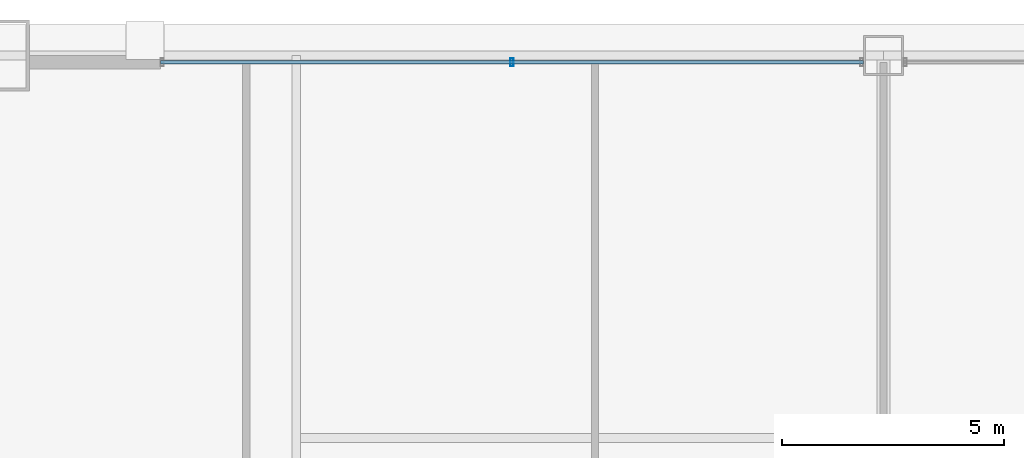
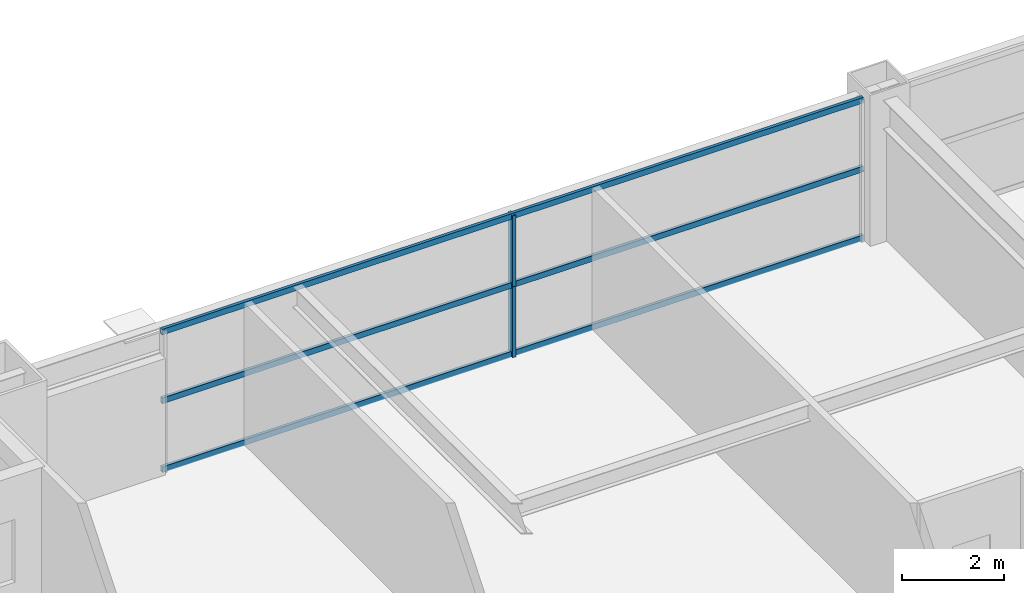
# One storey, part 25 of 39: 5 members, 1 element without a shape of its own.
"""IFC4 building model written with IfcOpenShell, lengths in metres."""

from ifc_helpers import new_model, si_unit, direction, frame, origin, origin_2d, place, context, subcontext, project, spatial, hollow_rectangle, extrude, source, transform, mapped, material, layer, layer_set, material_profile, profile_set, type_object, element, aggregate, save


model = new_model("IFC4")

# Units and contexts
model_context = context("Model", 3, precision=1e-05, world=origin(), true_north=direction((0.0, 1.0)))
body_context = subcontext(model_context, "Body", "Model", "MODEL_VIEW")
ifc_project = project(units=[si_unit("LENGTHUNIT", "METRE"), si_unit("AREAUNIT", "SQUARE_METRE"), si_unit("VOLUMEUNIT", "CUBIC_METRE"), si_unit("PLANEANGLEUNIT", "RADIAN"), si_unit("MASSUNIT", "GRAM", prefix="KILO"), si_unit("THERMODYNAMICTEMPERATUREUNIT", "KELVIN"), si_unit("POWERUNIT", "WATT")], contexts=[model_context])

# Site, building, storey
site_placement = place(None, origin())
site = spatial("IfcSite", under=ifc_project, at=site_placement, CompositionType="ELEMENT")
building_placement = place(site_placement, origin())
building = spatial("IfcBuilding", under=site, at=building_placement, Name="Yuzanri Waterfront Tower", CompositionType="ELEMENT")
storey_placement = place(building_placement, frame((0.0, 0.0, 156.0)))
storey = spatial("IfcBuildingStorey", under=building, at=storey_placement, Name="L41", CompositionType="ELEMENT", Elevation=156.0)

# Curtain wall, members
ifc_material_1 = material(Name="Anodized Architectural Bronze", Category="metal")
ifc_layer = layer(ifc_material_1, 0.159912109375)
ifc_layer_set = layer_set([ifc_layer], Name="Anodized Architectural Bronze")
curtain_wall_type = type_object("IfcCurtainWallType", Name="Anodized Bronze Hotel Upper-Tier Solar-Control Unitized Curtain Wall 7800", PredefinedType="NOTDEFINED", material=ifc_layer_set)
curtain_wall_placement = place(storey_placement, origin())
curtain_wall = element("IfcCurtainWall", 1, at=curtain_wall_placement, inside=storey, type_object=curtain_wall_type, Name="L41 Curtain Wall CW-L41-NL", PredefinedType="NOTDEFINED")
ifc_material_2 = material(Name="Anodized Architectural Bronze", Category="metal")
ifc_material_profile_1 = material_profile(ifc_material_2, hollow_rectangle(XDim=0.070068359375, YDim=0.179931640625, WallThickness=0.00390625, at=origin_2d()), Name="CWM 70x180")
ifc_profile_set_1 = profile_set([ifc_material_profile_1], Name="Anodized Architectural Bronze")
member_type_1 = type_object("IfcMemberType", Name="Anodized Bronze Standard Curtain-Wall Mullion 70x180", PredefinedType="MULLION", material=ifc_profile_set_1)
shared_shape_1 = source(origin(), body_context, "Body", "SweptSolid", [
    extrude(hollow_rectangle(XDim=0.070068359375, YDim=0.179931640625, WallThickness=0.00390625, at=origin_2d()), origin(), (0.0, 0.0, 1.0), 1.68798828125),
])
member_1_placement = place(storey_placement, frame((28.64990234375, 49.25, 0.0), z_axis=(0.0, 0.0, 1.0), x_axis=(1.0, 0.0, 0.0)))
member_1 = element("IfcMember", 2, at=member_1_placement, type_object=member_type_1, Name="CW-L41-NL Lower Mullion 01", PredefinedType="MULLION", context=body_context, shape_type="MappedRepresentation", body=[
    mapped(shared_shape_1, transform((0.0, 0.0, 0.0), scale=1.0)),
])
member_2_placement = place(storey_placement, frame((28.64990234375, 49.25, 1.69189453125), z_axis=(0.0, 0.0, 1.0), x_axis=(1.0, 0.0, 0.0)))
member_2 = element("IfcMember", 3, at=member_2_placement, type_object=member_type_1, Name="CW-L41-NL Upper Mullion 01", PredefinedType="MULLION", context=body_context, shape_type="MappedRepresentation", body=[
    mapped(shared_shape_1, transform((0.0, 0.0, 0.0), scale=1.0)),
])
ifc_material_3 = material(Name="Anodized Architectural Bronze", Category="metal")
ifc_material_profile_2 = material_profile(ifc_material_3, hollow_rectangle(XDim=0.070068359375, YDim=0.135009765625, WallThickness=0.00341796875, at=origin_2d()), Name="CWT 70x135")
ifc_profile_set_2 = profile_set([ifc_material_profile_2], Name="Anodized Architectural Bronze")
member_type_2 = type_object("IfcMemberType", Name="Anodized Bronze Standard Curtain-Wall Transom 70x135", PredefinedType="USERDEFINED", material=ifc_profile_set_2)
shared_shape_2 = source(origin(), body_context, "Body", "SweptSolid", [
    extrude(hollow_rectangle(XDim=0.070068359375, YDim=0.135009765625, WallThickness=0.00341796875, at=origin_2d()), origin(), (0.0, 0.0, 1.0), 15.800048828125),
])
member_3_placement = place(storey_placement, frame((20.75, 49.25, 0.050048828125), z_axis=(1.0, 0.0, 0.0), x_axis=(0.0, 1.0, 0.0)))
member_3 = element("IfcMember", 4, at=member_3_placement, type_object=member_type_2, Name="CW-L41-NL Transom 1", ObjectType="TRANSOM", PredefinedType="USERDEFINED", context=body_context, shape_type="MappedRepresentation", body=[
    mapped(shared_shape_2, transform((0.0, 0.0, 0.0), scale=1.0)),
])
member_4_placement = place(storey_placement, frame((20.75, 49.25, 1.68994140625), z_axis=(1.0, 0.0, 0.0), x_axis=(0.0, 1.0, 0.0)))
member_4 = element("IfcMember", 5, at=member_4_placement, type_object=member_type_2, Name="CW-L41-NL Transom 2", ObjectType="TRANSOM", PredefinedType="USERDEFINED", context=body_context, shape_type="MappedRepresentation", body=[
    mapped(shared_shape_2, transform((0.0, 0.0, 0.0), scale=1.0)),
])
member_5_placement = place(storey_placement, frame((20.75, 49.25, 3.330078125), z_axis=(1.0, 0.0, 0.0), x_axis=(0.0, 1.0, 0.0)))
member_5 = element("IfcMember", 6, at=member_5_placement, type_object=member_type_2, Name="CW-L41-NL Transom 3", ObjectType="TRANSOM", PredefinedType="USERDEFINED", context=body_context, shape_type="MappedRepresentation", body=[
    mapped(shared_shape_2, transform((0.0, 0.0, 0.0), scale=1.0)),
])
aggregate(curtain_wall, [member_1, member_2, member_3, member_4, member_5])

save(model, "model.ifc")
